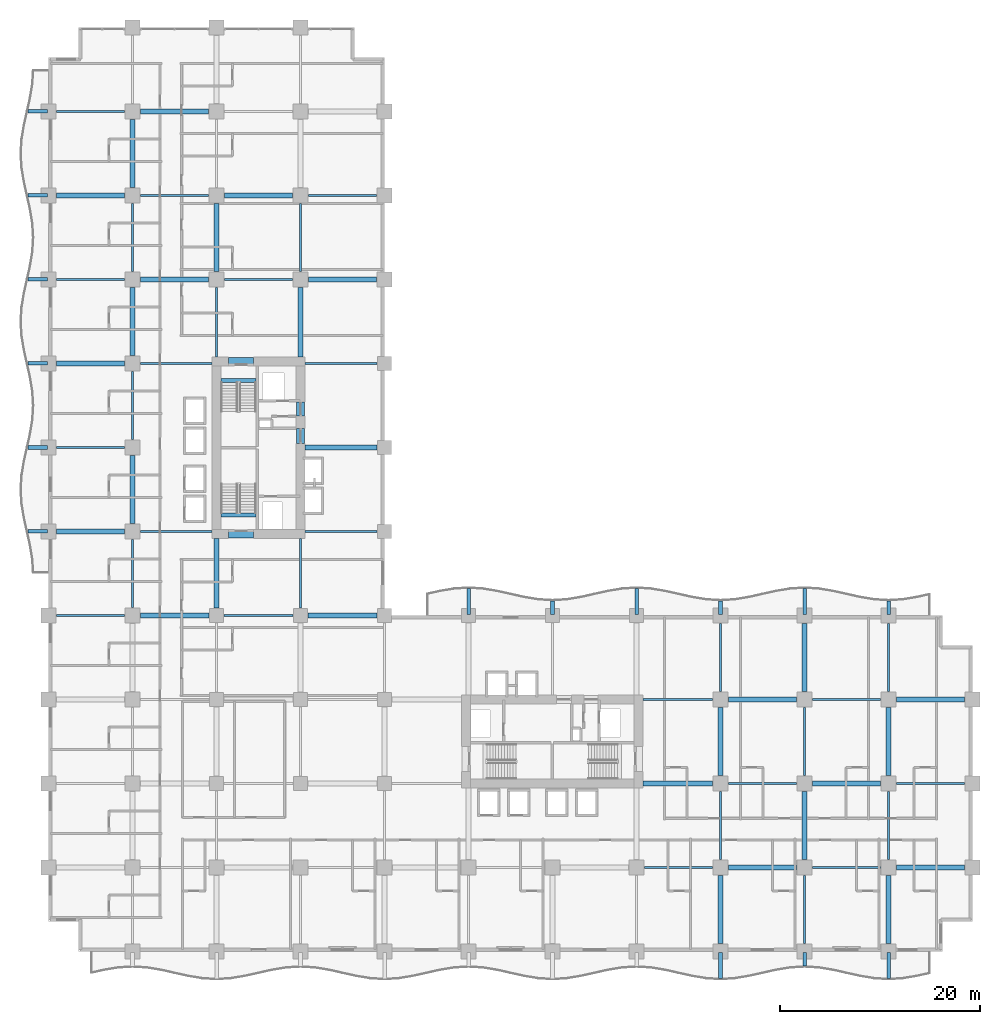
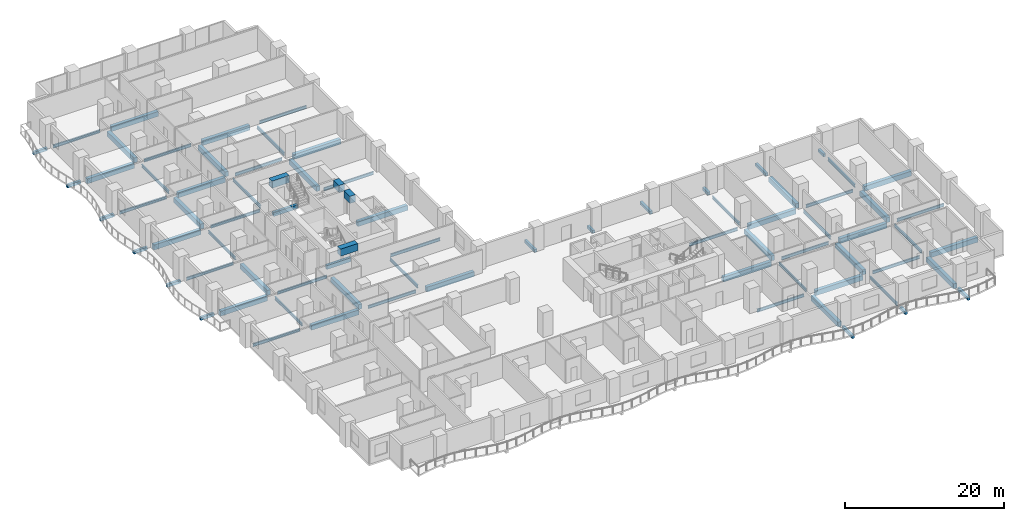
# One storey, part 2 of 23: 79 beams.
"""IFC4 building model written with IfcOpenShell, lengths in metres."""

from ifc_helpers import new_model, si_unit, direction, frame, origin, origin_2d, place, context, subcontext, project, spatial, rectangle, i_section, extrude, material, material_profile, profile_set, type_object, element, save


model = new_model("IFC4")

# Units and contexts
model_context = context("Model", 3, precision=1e-05, world=origin(), true_north=direction((0.0, 1.0)))
body_context = subcontext(model_context, "Body", "Model", "MODEL_VIEW")
ifc_project = project(units=[si_unit("LENGTHUNIT", "METRE"), si_unit("AREAUNIT", "SQUARE_METRE"), si_unit("VOLUMEUNIT", "CUBIC_METRE"), si_unit("PLANEANGLEUNIT", "RADIAN"), si_unit("MASSUNIT", "GRAM", prefix="KILO")], contexts=[model_context])

# Site, building, storey
site_placement = place(None, origin())
site = spatial("IfcSite", under=ifc_project, at=site_placement, CompositionType="ELEMENT")
building_placement = place(site_placement, origin())
building = spatial("IfcBuilding", under=site, at=building_placement, Name="Koriwani Terraces Tower", CompositionType="ELEMENT")
storey_placement = place(building_placement, frame((0.0, 0.0, 32.0)))
storey = spatial("IfcBuildingStorey", under=building, at=storey_placement, Name="L06", CompositionType="ELEMENT", Elevation=32.0)

# Beams
ifc_material_1 = material(Name="Concrete C40/50", Category="concrete")
ifc_material_profile_1 = material_profile(ifc_material_1, rectangle(XDim=0.35009765625, YDim=0.449951171875, at=origin_2d()), Name="Concrete C40/50", Category="LoadBearing")
ifc_profile_set_1 = profile_set([ifc_material_profile_1], Name="Concrete C40/50")
beam_type_1 = type_object("IfcBeamType", Name="BEAM_RC_BALCONY_RIB_350X450", PredefinedType="JOIST", material=ifc_profile_set_1)
beam_1_placement = place(storey_placement, frame((67.199951171875, -2.699951171875, -0.47509765625), z_axis=(0.0, 1.0, 0.0), x_axis=(-1.0, 0.0, 0.0)))
element("IfcBeam", 1, at=beam_1_placement, inside=storey, type_object=beam_type_1, Name="L06 Balcony Bracket Rib S-8", PredefinedType="JOIST", context=body_context, shape_type="SweptSolid", body=[
    extrude(rectangle(XDim=0.35009765625, YDim=0.449951171875, at=origin_2d()), origin(), (0.0, 0.0, 1.0), 2.599853515625),
])
beam_2_placement = place(storey_placement, frame((75.60009765625, -1.449951171875, -0.47509765625), z_axis=(0.0, 1.0, 0.0), x_axis=(-1.0, 0.0, 0.0)))
element("IfcBeam", 2, at=beam_2_placement, inside=storey, type_object=beam_type_1, Name="L06 Balcony Bracket Rib S-9", PredefinedType="JOIST", context=body_context, shape_type="SweptSolid", body=[
    extrude(rectangle(XDim=0.35009765625, YDim=0.449951171875, at=origin_2d()), origin(), (0.0, 0.0, 1.0), 1.349853515625),
])
beam_3_placement = place(storey_placement, frame((84.0, -2.699951171875, -0.47509765625), z_axis=(0.0, 1.0, 0.0), x_axis=(-1.0, 0.0, 0.0)))
element("IfcBeam", 3, at=beam_3_placement, inside=storey, type_object=beam_type_1, Name="L06 Balcony Bracket Rib S-10", PredefinedType="JOIST", context=body_context, shape_type="SweptSolid", body=[
    extrude(rectangle(XDim=0.35009765625, YDim=0.449951171875, at=origin_2d()), origin(), (0.0, 0.0, 1.0), 2.599853515625),
])
for number, where, z_axis, x_axis, name in (
    (4, (-2.074951171875, 42.0, -0.47509765625), (1.0, 0.0, 0.0), (0.0, 1.0, 0.0), "L06 Balcony Bracket Rib W-1"),
    (5, (-2.074951171875, 50.39990234375, -0.47509765625), (1.0, 0.0, 0.0), (0.0, 1.0, 0.0), "L06 Balcony Bracket Rib W-2"),
    (6, (-2.074951171875, 58.800048828125, -0.47509765625), (1.0, 0.0, 0.0), (0.0, 1.0, 0.0), "L06 Balcony Bracket Rib W-3"),
    (7, (-2.074951171875, 67.199951171875, -0.47509765625), (1.0, 0.0, 0.0), (0.0, 1.0, 0.0), "L06 Balcony Bracket Rib W-4"),
    (8, (-2.074951171875, 75.60009765625, -0.47509765625), (1.0, 0.0, 0.0), (0.0, 1.0, 0.0), "L06 Balcony Bracket Rib W-5"),
    (9, (-2.074951171875, 84.0, -0.47509765625), (1.0, 0.0, 0.0), (0.0, 1.0, 0.0), "L06 Balcony Bracket Rib W-6"),
):
    element("IfcBeam", number, at=place(storey_placement, frame(where, z_axis=z_axis, x_axis=x_axis)), inside=storey, type_object=beam_type_1, Name=name, PredefinedType="JOIST", context=body_context, shape_type="SweptSolid", body=[
        extrude(rectangle(XDim=0.35009765625, YDim=0.449951171875, at=origin_2d()), origin(), (0.0, 0.0, 1.0), 1.974853515625),
    ])
beam_4_placement = place(storey_placement, frame((42.0, 33.699951171875, -0.47509765625), z_axis=(0.0, 1.0, 0.0), x_axis=(-1.0, 0.0, 0.0)))
element("IfcBeam", 10, at=beam_4_placement, inside=storey, type_object=beam_type_1, Name="L06 Balcony Bracket Rib NE-1", PredefinedType="JOIST", context=body_context, shape_type="SweptSolid", body=[
    extrude(rectangle(XDim=0.35009765625, YDim=0.449951171875, at=origin_2d()), origin(), (0.0, 0.0, 1.0), 2.60009765625),
])
beam_5_placement = place(storey_placement, frame((50.39990234375, 33.699951171875, -0.47509765625), z_axis=(0.0, 1.0, 0.0), x_axis=(-1.0, 0.0, 0.0)))
element("IfcBeam", 11, at=beam_5_placement, inside=storey, type_object=beam_type_1, Name="L06 Balcony Bracket Rib NE-2", PredefinedType="JOIST", context=body_context, shape_type="SweptSolid", body=[
    extrude(rectangle(XDim=0.35009765625, YDim=0.449951171875, at=origin_2d()), origin(), (0.0, 0.0, 1.0), 1.35009765625),
])
beam_6_placement = place(storey_placement, frame((58.800048828125, 33.699951171875, -0.47509765625), z_axis=(0.0, 1.0, 0.0), x_axis=(-1.0, 0.0, 0.0)))
element("IfcBeam", 12, at=beam_6_placement, inside=storey, type_object=beam_type_1, Name="L06 Balcony Bracket Rib NE-3", PredefinedType="JOIST", context=body_context, shape_type="SweptSolid", body=[
    extrude(rectangle(XDim=0.35009765625, YDim=0.449951171875, at=origin_2d()), origin(), (0.0, 0.0, 1.0), 2.60009765625),
])
beam_7_placement = place(storey_placement, frame((67.199951171875, 33.699951171875, -0.47509765625), z_axis=(0.0, 1.0, 0.0), x_axis=(-1.0, 0.0, 0.0)))
element("IfcBeam", 13, at=beam_7_placement, inside=storey, type_object=beam_type_1, Name="L06 Balcony Bracket Rib NE-4", PredefinedType="JOIST", context=body_context, shape_type="SweptSolid", body=[
    extrude(rectangle(XDim=0.35009765625, YDim=0.449951171875, at=origin_2d()), origin(), (0.0, 0.0, 1.0), 1.35009765625),
])
beam_8_placement = place(storey_placement, frame((75.60009765625, 33.699951171875, -0.47509765625), z_axis=(0.0, 1.0, 0.0), x_axis=(-1.0, 0.0, 0.0)))
element("IfcBeam", 14, at=beam_8_placement, inside=storey, type_object=beam_type_1, Name="L06 Balcony Bracket Rib NE-5", PredefinedType="JOIST", context=body_context, shape_type="SweptSolid", body=[
    extrude(rectangle(XDim=0.35009765625, YDim=0.449951171875, at=origin_2d()), origin(), (0.0, 0.0, 1.0), 2.60009765625),
])
beam_9_placement = place(storey_placement, frame((84.0, 33.699951171875, -0.47509765625), z_axis=(0.0, 1.0, 0.0), x_axis=(-1.0, 0.0, 0.0)))
element("IfcBeam", 15, at=beam_9_placement, inside=storey, type_object=beam_type_1, Name="L06 Balcony Bracket Rib NE-6", PredefinedType="JOIST", context=body_context, shape_type="SweptSolid", body=[
    extrude(rectangle(XDim=0.35009765625, YDim=0.449951171875, at=origin_2d()), origin(), (0.0, 0.0, 1.0), 1.35009765625),
])
ifc_material_2 = material(Name="Concrete C60/75", Category="concrete")
ifc_material_profile_2 = material_profile(ifc_material_2, rectangle(XDim=0.800048828125, YDim=1.10009765625, at=origin_2d()), Name="Concrete C60/75", Category="LoadBearing")
ifc_profile_set_2 = profile_set([ifc_material_profile_2], Name="Concrete C60/75")
beam_type_2 = type_object("IfcBeamType", Name="BEAM_RC_COUPLING_800X1100", PredefinedType="LINTEL", material=ifc_profile_set_2)
beam_10_placement = place(storey_placement, frame((25.199951171875, 50.800048828125, 3.0), z_axis=(0.0, 1.0, 0.0), x_axis=(-1.0, 0.0, 0.0)))
element("IfcBeam", 16, at=beam_10_placement, inside=storey, type_object=beam_type_2, Name="L06 Core Coupling Lintel Beam WE1", PredefinedType="LINTEL", context=body_context, shape_type="SweptSolid", body=[
    extrude(rectangle(XDim=0.800048828125, YDim=1.10009765625, at=origin_2d()), origin(), (0.0, 0.0, 1.0), 1.47998046875),
])
beam_11_placement = place(storey_placement, frame((25.199951171875, 53.550048828125, 3.0), z_axis=(0.0, 1.0, 0.0), x_axis=(-1.0, 0.0, 0.0)))
element("IfcBeam", 17, at=beam_11_placement, inside=storey, type_object=beam_type_2, Name="L06 Core Coupling Lintel Beam WE2", PredefinedType="LINTEL", context=body_context, shape_type="SweptSolid", body=[
    extrude(rectangle(XDim=0.800048828125, YDim=1.10009765625, at=origin_2d()), origin(), (0.0, 0.0, 1.0), 1.39990234375),
])
for number, where, z_axis, x_axis, name in (
    (18, (18.0, 41.75, 3.0), (1.0, 0.0, 0.0), (0.0, 1.0, 0.0), "L06 Core Coupling Lintel Beam WS"),
    (19, (18.0, 59.0, 3.0), (1.0, 0.0, 0.0), (0.0, 1.0, 0.0), "L06 Core Coupling Lintel Beam WN"),
):
    element("IfcBeam", number, at=place(storey_placement, frame(where, z_axis=z_axis, x_axis=x_axis)), inside=storey, type_object=beam_type_2, Name=name, PredefinedType="LINTEL", context=body_context, shape_type="SweptSolid", body=[
        extrude(rectangle(XDim=0.800048828125, YDim=1.10009765625, at=origin_2d()), origin(), (0.0, 0.0, 1.0), 2.5),
    ])
ifc_material_profile_3 = material_profile(ifc_material_1, rectangle(XDim=0.39990234375, YDim=0.60009765625, at=origin_2d()), Name="Concrete C40/50", Category="LoadBearing")
ifc_profile_set_3 = profile_set([ifc_material_profile_3], Name="Concrete C40/50")
beam_type_3 = type_object("IfcBeamType", Name="BEAM_RC_GRID_400X600", PredefinedType="BEAM", material=ifc_profile_set_3)
for number, where, z_axis, x_axis, name in (
    (20, (17.25, 43.655029296875, -0.300048828125), (1.0, 0.0, 0.0), (0.0, 1.0, 0.0), "L06 Stairwell Header Trimmer Beam ST-W1"),
    (21, (17.25, 57.094970703125, -0.300048828125), (1.0, 0.0, 0.0), (0.0, 1.0, 0.0), "L06 Stairwell Header Trimmer Beam ST-W2"),
):
    element("IfcBeam", number, at=place(storey_placement, frame(where, z_axis=z_axis, x_axis=x_axis)), inside=storey, type_object=beam_type_3, Name=name, PredefinedType="BEAM", context=body_context, shape_type="SweptSolid", body=[
        extrude(rectangle(XDim=0.39990234375, YDim=0.60009765625, at=origin_2d()), origin(), (0.0, 0.0, 1.0), 3.5),
    ])
ifc_material_3 = material(Name="Concrete C50/60", Category="concrete")
ifc_material_profile_4 = material_profile(ifc_material_3, rectangle(XDim=0.5, YDim=0.75, at=origin_2d()), Name="Concrete C50/60", Category="LoadBearing")
ifc_profile_set_4 = profile_set([ifc_material_profile_4], Name="Concrete C50/60")
beam_type_4 = type_object("IfcBeamType", Name="BEAM_RC_GRID_500X750", PredefinedType="BEAM", material=ifc_profile_set_4)
for number, where, z_axis, x_axis, name in (
    (22, (67.97998046875, 8.39990234375, -0.625), (1.0, 0.0, 0.0), (0.0, 1.0, 0.0), "L06 Grid Beam B (67.2-75.6m)"),
    (23, (84.780029296875, 8.39990234375, -0.625), (1.0, 0.0, 0.0), (0.0, 1.0, 0.0), "L06 Grid Beam B (84.0-92.4m)"),
):
    element("IfcBeam", number, at=place(storey_placement, frame(where, z_axis=z_axis, x_axis=x_axis)), inside=storey, type_object=beam_type_4, Name=name, PredefinedType="BEAM", context=body_context, shape_type="SweptSolid", body=[
        extrude(rectangle(XDim=0.5, YDim=0.75, at=origin_2d()), origin(), (0.0, 0.0, 1.0), 6.840087890625),
    ])
beam_12_placement = place(storey_placement, frame((59.429931640625, 16.800048828125, -0.625), z_axis=(1.0, 0.0, 0.0), x_axis=(0.0, 1.0, 0.0)))
element("IfcBeam", 24, at=beam_12_placement, inside=storey, type_object=beam_type_4, Name="L06 Grid Beam C (58.8-67.2m)", PredefinedType="BEAM", context=body_context, shape_type="SweptSolid", body=[
    extrude(rectangle(XDim=0.5, YDim=0.75, at=origin_2d()), origin(), (0.0, 0.0, 1.0), 6.989990234375),
])
for number, where, z_axis, x_axis, name in (
    (25, (76.3798828125, 16.800048828125, -0.625), (1.0, 0.0, 0.0), (0.0, 1.0, 0.0), "L06 Grid Beam C (75.6-84.0m)"),
    (26, (67.97998046875, 25.199951171875, -0.625), (1.0, 0.0, 0.0), (0.0, 1.0, 0.0), "L06 Grid Beam D (67.2-75.6m)"),
    (27, (84.780029296875, 25.199951171875, -0.625), (1.0, 0.0, 0.0), (0.0, 1.0, 0.0), "L06 Grid Beam D (84.0-92.4m)"),
):
    element("IfcBeam", number, at=place(storey_placement, frame(where, z_axis=z_axis, x_axis=x_axis)), inside=storey, type_object=beam_type_4, Name=name, PredefinedType="BEAM", context=body_context, shape_type="SweptSolid", body=[
        extrude(rectangle(XDim=0.5, YDim=0.75, at=origin_2d()), origin(), (0.0, 0.0, 1.0), 6.840087890625),
    ])
beam_13_placement = place(storey_placement, frame((9.179931640625, 33.60009765625, -0.625), z_axis=(1.0, 0.0, 0.0), x_axis=(0.0, 1.0, 0.0)))
element("IfcBeam", 28, at=beam_13_placement, inside=storey, type_object=beam_type_4, Name="L06 Grid Beam E (8.4-16.8m)", PredefinedType="BEAM", context=body_context, shape_type="SweptSolid", body=[
    extrude(rectangle(XDim=0.5, YDim=0.75, at=origin_2d()), origin(), (0.0, 0.0, 1.0), 6.89013671875),
])
beam_14_placement = place(storey_placement, frame((25.929931640625, 33.60009765625, -0.625), z_axis=(1.0, 0.0, 0.0), x_axis=(0.0, 1.0, 0.0)))
element("IfcBeam", 29, at=beam_14_placement, inside=storey, type_object=beam_type_4, Name="L06 Grid Beam E (25.2-33.6m)", PredefinedType="BEAM", context=body_context, shape_type="SweptSolid", body=[
    extrude(rectangle(XDim=0.5, YDim=0.75, at=origin_2d()), origin(), (0.0, 0.0, 1.0), 6.940185546875),
])
beam_15_placement = place(storey_placement, frame((0.780029296875, 42.0, -0.625), z_axis=(1.0, 0.0, 0.0), x_axis=(0.0, 1.0, 0.0)))
element("IfcBeam", 30, at=beam_15_placement, inside=storey, type_object=beam_type_4, Name="L06 Grid Beam F (0.0-8.4m)", PredefinedType="BEAM", context=body_context, shape_type="SweptSolid", body=[
    extrude(rectangle(XDim=0.5, YDim=0.75, at=origin_2d()), origin(), (0.0, 0.0, 1.0), 6.840087890625),
])
beam_16_placement = place(storey_placement, frame((25.6298828125, 50.39990234375, -0.625), z_axis=(1.0, 0.0, 0.0), x_axis=(0.0, 1.0, 0.0)))
element("IfcBeam", 31, at=beam_16_placement, inside=storey, type_object=beam_type_4, Name="L06 Grid Beam G (25.2-33.6m)", PredefinedType="BEAM", context=body_context, shape_type="SweptSolid", body=[
    extrude(rectangle(XDim=0.5, YDim=0.75, at=origin_2d()), origin(), (0.0, 0.0, 1.0), 7.240234375),
])
for number, where, z_axis, x_axis, name in (
    (32, (0.780029296875, 58.800048828125, -0.625), (1.0, 0.0, 0.0), (0.0, 1.0, 0.0), "L06 Grid Beam H (0.0-8.4m)"),
    (33, (9.179931640625, 67.199951171875, -0.625), (1.0, 0.0, 0.0), (0.0, 1.0, 0.0), "L06 Grid Beam I (8.4-16.8m)"),
    (34, (25.97998046875, 67.199951171875, -0.625), (1.0, 0.0, 0.0), (0.0, 1.0, 0.0), "L06 Grid Beam I (25.2-33.6m)"),
    (35, (0.780029296875, 75.60009765625, -0.625), (1.0, 0.0, 0.0), (0.0, 1.0, 0.0), "L06 Grid Beam J (0.0-8.4m)"),
):
    element("IfcBeam", number, at=place(storey_placement, frame(where, z_axis=z_axis, x_axis=x_axis)), inside=storey, type_object=beam_type_4, Name=name, PredefinedType="BEAM", context=body_context, shape_type="SweptSolid", body=[
        extrude(rectangle(XDim=0.5, YDim=0.75, at=origin_2d()), origin(), (0.0, 0.0, 1.0), 6.840087890625),
    ])
beam_17_placement = place(storey_placement, frame((17.580078125, 75.60009765625, -0.625), z_axis=(1.0, 0.0, 0.0), x_axis=(0.0, 1.0, 0.0)))
element("IfcBeam", 36, at=beam_17_placement, inside=storey, type_object=beam_type_4, Name="L06 Grid Beam J (16.8-25.2m)", PredefinedType="BEAM", context=body_context, shape_type="SweptSolid", body=[
    extrude(rectangle(XDim=0.5, YDim=0.75, at=origin_2d()), origin(), (0.0, 0.0, 1.0), 6.83984375),
])
for number, where, z_axis, x_axis, name in (
    (37, (9.179931640625, 84.0, -0.625), (1.0, 0.0, 0.0), (0.0, 1.0, 0.0), "L06 Grid Beam K (8.4-16.8m)"),
    (38, (8.39990234375, 42.780029296875, -0.625), (0.0, 1.0, 0.0), (-1.0, 0.0, 0.0), "L06 Grid Beam 2 (42.0-50.4m)"),
):
    element("IfcBeam", number, at=place(storey_placement, frame(where, z_axis=z_axis, x_axis=x_axis)), inside=storey, type_object=beam_type_4, Name=name, PredefinedType="BEAM", context=body_context, shape_type="SweptSolid", body=[
        extrude(rectangle(XDim=0.5, YDim=0.75, at=origin_2d()), origin(), (0.0, 0.0, 1.0), 6.840087890625),
    ])
beam_18_placement = place(storey_placement, frame((8.39990234375, 59.580078125, -0.625), z_axis=(0.0, 1.0, 0.0), x_axis=(-1.0, 0.0, 0.0)))
element("IfcBeam", 39, at=beam_18_placement, inside=storey, type_object=beam_type_4, Name="L06 Grid Beam 2 (58.8-67.2m)", PredefinedType="BEAM", context=body_context, shape_type="SweptSolid", body=[
    extrude(rectangle(XDim=0.5, YDim=0.75, at=origin_2d()), origin(), (0.0, 0.0, 1.0), 6.83984375),
])
beam_19_placement = place(storey_placement, frame((8.39990234375, 76.3798828125, -0.625), z_axis=(0.0, 1.0, 0.0), x_axis=(-1.0, 0.0, 0.0)))
element("IfcBeam", 40, at=beam_19_placement, inside=storey, type_object=beam_type_4, Name="L06 Grid Beam 2 (75.6-84.0m)", PredefinedType="BEAM", context=body_context, shape_type="SweptSolid", body=[
    extrude(rectangle(XDim=0.5, YDim=0.75, at=origin_2d()), origin(), (0.0, 0.0, 1.0), 6.840087890625),
])
beam_20_placement = place(storey_placement, frame((16.800048828125, 34.330078125, -0.625), z_axis=(0.0, 1.0, 0.0), x_axis=(-1.0, 0.0, 0.0)))
element("IfcBeam", 41, at=beam_20_placement, inside=storey, type_object=beam_type_4, Name="L06 Grid Beam 3 (33.6-42.0m)", PredefinedType="BEAM", context=body_context, shape_type="SweptSolid", body=[
    extrude(rectangle(XDim=0.5, YDim=0.75, at=origin_2d()), origin(), (0.0, 0.0, 1.0), 6.989990234375),
])
beam_21_placement = place(storey_placement, frame((16.800048828125, 67.97998046875, -0.625), z_axis=(0.0, 1.0, 0.0), x_axis=(-1.0, 0.0, 0.0)))
element("IfcBeam", 42, at=beam_21_placement, inside=storey, type_object=beam_type_4, Name="L06 Grid Beam 3 (67.2-75.6m)", PredefinedType="BEAM", context=body_context, shape_type="SweptSolid", body=[
    extrude(rectangle(XDim=0.5, YDim=0.75, at=origin_2d()), origin(), (0.0, 0.0, 1.0), 6.840087890625),
])
beam_22_placement = place(storey_placement, frame((25.199951171875, 59.429931640625, -0.625), z_axis=(0.0, 1.0, 0.0), x_axis=(-1.0, 0.0, 0.0)))
element("IfcBeam", 43, at=beam_22_placement, inside=storey, type_object=beam_type_4, Name="L06 Grid Beam 4 (58.8-67.2m)", PredefinedType="BEAM", context=body_context, shape_type="SweptSolid", body=[
    extrude(rectangle(XDim=0.5, YDim=0.75, at=origin_2d()), origin(), (0.0, 0.0, 1.0), 6.989990234375),
])
beam_23_placement = place(storey_placement, frame((67.199951171875, 0.780029296875, -0.625), z_axis=(0.0, 1.0, 0.0), x_axis=(-1.0, 0.0, 0.0)))
element("IfcBeam", 44, at=beam_23_placement, inside=storey, type_object=beam_type_4, Name="L06 Grid Beam 9 (0.0-8.4m)", PredefinedType="BEAM", context=body_context, shape_type="SweptSolid", body=[
    extrude(rectangle(XDim=0.5, YDim=0.75, at=origin_2d()), origin(), (0.0, 0.0, 1.0), 6.840087890625),
])
beam_24_placement = place(storey_placement, frame((67.199951171875, 17.580078125, -0.625), z_axis=(0.0, 1.0, 0.0), x_axis=(-1.0, 0.0, 0.0)))
element("IfcBeam", 45, at=beam_24_placement, inside=storey, type_object=beam_type_4, Name="L06 Grid Beam 9 (16.8-25.2m)", PredefinedType="BEAM", context=body_context, shape_type="SweptSolid", body=[
    extrude(rectangle(XDim=0.5, YDim=0.75, at=origin_2d()), origin(), (0.0, 0.0, 1.0), 6.83984375),
])
for number, where, z_axis, x_axis, name in (
    (46, (75.60009765625, 9.179931640625, -0.625), (0.0, 1.0, 0.0), (-1.0, 0.0, 0.0), "L06 Grid Beam 10 (8.4-16.8m)"),
    (47, (75.60009765625, 25.97998046875, -0.625), (0.0, 1.0, 0.0), (-1.0, 0.0, 0.0), "L06 Grid Beam 10 (25.2-33.6m)"),
    (48, (84.0, 0.780029296875, -0.625), (0.0, 1.0, 0.0), (-1.0, 0.0, 0.0), "L06 Grid Beam 11 (0.0-8.4m)"),
):
    element("IfcBeam", number, at=place(storey_placement, frame(where, z_axis=z_axis, x_axis=x_axis)), inside=storey, type_object=beam_type_4, Name=name, PredefinedType="BEAM", context=body_context, shape_type="SweptSolid", body=[
        extrude(rectangle(XDim=0.5, YDim=0.75, at=origin_2d()), origin(), (0.0, 0.0, 1.0), 6.840087890625),
    ])
beam_25_placement = place(storey_placement, frame((84.0, 17.580078125, -0.625), z_axis=(0.0, 1.0, 0.0), x_axis=(-1.0, 0.0, 0.0)))
element("IfcBeam", 49, at=beam_25_placement, inside=storey, type_object=beam_type_4, Name="L06 Grid Beam 11 (16.8-25.2m)", PredefinedType="BEAM", context=body_context, shape_type="SweptSolid", body=[
    extrude(rectangle(XDim=0.5, YDim=0.75, at=origin_2d()), origin(), (0.0, 0.0, 1.0), 6.83984375),
])
ifc_material_4 = material(Name="Steel ASTM A572 Grade 50", Category="steel")
ifc_material_profile_5 = material_profile(ifc_material_4, i_section(OverallWidth=0.193115234375, OverallDepth=0.462890625, WebThickness=0.0107421875, FlangeThickness=0.017333984375, at=origin_2d()), Name="Steel ASTM A572 Grade 50", Category="LoadBearing")
ifc_profile_set_5 = profile_set([ifc_material_profile_5], Name="Steel ASTM A572 Grade 50")
beam_type_5 = type_object("IfcBeamType", Name="STEEL_BEAM_W460X113", PredefinedType="BEAM", material=ifc_profile_set_5)
beam_26_placement = place(storey_placement, frame((59.580078125, 8.39990234375, -0.4814453125), z_axis=(1.0, 0.0, 0.0), x_axis=(0.0, 1.0, 0.0)))
element("IfcBeam", 50, at=beam_26_placement, inside=storey, type_object=beam_type_5, Name="L06 Grid Beam B (58.8-67.2m)", PredefinedType="BEAM", context=body_context, shape_type="SweptSolid", body=[
    extrude(i_section(OverallWidth=0.193115234375, OverallDepth=0.462890625, WebThickness=0.0107421875, FlangeThickness=0.017333984375, at=origin_2d()), origin(), (0.0, 0.0, 1.0), 6.83984375),
])
for number, where, z_axis, x_axis, name in (
    (51, (76.3798828125, 8.39990234375, -0.4814453125), (1.0, 0.0, 0.0), (0.0, 1.0, 0.0), "L06 Grid Beam B (75.6-84.0m)"),
    (52, (67.97998046875, 16.800048828125, -0.4814453125), (1.0, 0.0, 0.0), (0.0, 1.0, 0.0), "L06 Grid Beam C (67.2-75.6m)"),
    (53, (84.780029296875, 16.800048828125, -0.4814453125), (1.0, 0.0, 0.0), (0.0, 1.0, 0.0), "L06 Grid Beam C (84.0-92.4m)"),
):
    element("IfcBeam", number, at=place(storey_placement, frame(where, z_axis=z_axis, x_axis=x_axis)), inside=storey, type_object=beam_type_5, Name=name, PredefinedType="BEAM", context=body_context, shape_type="SweptSolid", body=[
        extrude(i_section(OverallWidth=0.193115234375, OverallDepth=0.462890625, WebThickness=0.0107421875, FlangeThickness=0.017333984375, at=origin_2d()), origin(), (0.0, 0.0, 1.0), 6.840087890625),
    ])
beam_27_placement = place(storey_placement, frame((59.429931640625, 25.199951171875, -0.4814453125), z_axis=(1.0, 0.0, 0.0), x_axis=(0.0, 1.0, 0.0)))
element("IfcBeam", 54, at=beam_27_placement, inside=storey, type_object=beam_type_5, Name="L06 Grid Beam D (58.8-67.2m)", PredefinedType="BEAM", context=body_context, shape_type="SweptSolid", body=[
    extrude(i_section(OverallWidth=0.193115234375, OverallDepth=0.462890625, WebThickness=0.0107421875, FlangeThickness=0.017333984375, at=origin_2d()), origin(), (0.0, 0.0, 1.0), 6.989990234375),
])
for number, where, z_axis, x_axis, name in (
    (55, (76.3798828125, 25.199951171875, -0.4814453125), (1.0, 0.0, 0.0), (0.0, 1.0, 0.0), "L06 Grid Beam D (75.6-84.0m)"),
    (56, (0.780029296875, 33.60009765625, -0.4814453125), (1.0, 0.0, 0.0), (0.0, 1.0, 0.0), "L06 Grid Beam E (0.0-8.4m)"),
):
    element("IfcBeam", number, at=place(storey_placement, frame(where, z_axis=z_axis, x_axis=x_axis)), inside=storey, type_object=beam_type_5, Name=name, PredefinedType="BEAM", context=body_context, shape_type="SweptSolid", body=[
        extrude(i_section(OverallWidth=0.193115234375, OverallDepth=0.462890625, WebThickness=0.0107421875, FlangeThickness=0.017333984375, at=origin_2d()), origin(), (0.0, 0.0, 1.0), 6.840087890625),
    ])
beam_28_placement = place(storey_placement, frame((17.530029296875, 33.60009765625, -0.4814453125), z_axis=(1.0, 0.0, 0.0), x_axis=(0.0, 1.0, 0.0)))
element("IfcBeam", 57, at=beam_28_placement, inside=storey, type_object=beam_type_5, Name="L06 Grid Beam E (16.8-25.2m)", PredefinedType="BEAM", context=body_context, shape_type="SweptSolid", body=[
    extrude(i_section(OverallWidth=0.193115234375, OverallDepth=0.462890625, WebThickness=0.0107421875, FlangeThickness=0.017333984375, at=origin_2d()), origin(), (0.0, 0.0, 1.0), 6.93994140625),
])
beam_29_placement = place(storey_placement, frame((9.179931640625, 42.0, -0.4814453125), z_axis=(1.0, 0.0, 0.0), x_axis=(0.0, 1.0, 0.0)))
element("IfcBeam", 58, at=beam_29_placement, inside=storey, type_object=beam_type_5, Name="L06 Grid Beam F (8.4-16.8m)", PredefinedType="BEAM", context=body_context, shape_type="SweptSolid", body=[
    extrude(i_section(OverallWidth=0.193115234375, OverallDepth=0.462890625, WebThickness=0.0107421875, FlangeThickness=0.017333984375, at=origin_2d()), origin(), (0.0, 0.0, 1.0), 7.190185546875),
])
beam_30_placement = place(storey_placement, frame((25.6298828125, 42.0, -0.4814453125), z_axis=(1.0, 0.0, 0.0), x_axis=(0.0, 1.0, 0.0)))
element("IfcBeam", 59, at=beam_30_placement, inside=storey, type_object=beam_type_5, Name="L06 Grid Beam F (25.2-33.6m)", PredefinedType="BEAM", context=body_context, shape_type="SweptSolid", body=[
    extrude(i_section(OverallWidth=0.193115234375, OverallDepth=0.462890625, WebThickness=0.0107421875, FlangeThickness=0.017333984375, at=origin_2d()), origin(), (0.0, 0.0, 1.0), 7.240234375),
])
beam_31_placement = place(storey_placement, frame((0.780029296875, 50.39990234375, -0.4814453125), z_axis=(1.0, 0.0, 0.0), x_axis=(0.0, 1.0, 0.0)))
element("IfcBeam", 60, at=beam_31_placement, inside=storey, type_object=beam_type_5, Name="L06 Grid Beam G (0.0-8.4m)", PredefinedType="BEAM", context=body_context, shape_type="SweptSolid", body=[
    extrude(i_section(OverallWidth=0.193115234375, OverallDepth=0.462890625, WebThickness=0.0107421875, FlangeThickness=0.017333984375, at=origin_2d()), origin(), (0.0, 0.0, 1.0), 6.840087890625),
])
beam_32_placement = place(storey_placement, frame((9.179931640625, 58.800048828125, -0.4814453125), z_axis=(1.0, 0.0, 0.0), x_axis=(0.0, 1.0, 0.0)))
element("IfcBeam", 61, at=beam_32_placement, inside=storey, type_object=beam_type_5, Name="L06 Grid Beam H (8.4-16.8m)", PredefinedType="BEAM", context=body_context, shape_type="SweptSolid", body=[
    extrude(i_section(OverallWidth=0.193115234375, OverallDepth=0.462890625, WebThickness=0.0107421875, FlangeThickness=0.017333984375, at=origin_2d()), origin(), (0.0, 0.0, 1.0), 7.190185546875),
])
beam_33_placement = place(storey_placement, frame((25.6298828125, 58.800048828125, -0.4814453125), z_axis=(1.0, 0.0, 0.0), x_axis=(0.0, 1.0, 0.0)))
element("IfcBeam", 62, at=beam_33_placement, inside=storey, type_object=beam_type_5, Name="L06 Grid Beam H (25.2-33.6m)", PredefinedType="BEAM", context=body_context, shape_type="SweptSolid", body=[
    extrude(i_section(OverallWidth=0.193115234375, OverallDepth=0.462890625, WebThickness=0.0107421875, FlangeThickness=0.017333984375, at=origin_2d()), origin(), (0.0, 0.0, 1.0), 7.240234375),
])
beam_34_placement = place(storey_placement, frame((0.780029296875, 67.199951171875, -0.4814453125), z_axis=(1.0, 0.0, 0.0), x_axis=(0.0, 1.0, 0.0)))
element("IfcBeam", 63, at=beam_34_placement, inside=storey, type_object=beam_type_5, Name="L06 Grid Beam I (0.0-8.4m)", PredefinedType="BEAM", context=body_context, shape_type="SweptSolid", body=[
    extrude(i_section(OverallWidth=0.193115234375, OverallDepth=0.462890625, WebThickness=0.0107421875, FlangeThickness=0.017333984375, at=origin_2d()), origin(), (0.0, 0.0, 1.0), 6.840087890625),
])
beam_35_placement = place(storey_placement, frame((17.580078125, 67.199951171875, -0.4814453125), z_axis=(1.0, 0.0, 0.0), x_axis=(0.0, 1.0, 0.0)))
element("IfcBeam", 64, at=beam_35_placement, inside=storey, type_object=beam_type_5, Name="L06 Grid Beam I (16.8-25.2m)", PredefinedType="BEAM", context=body_context, shape_type="SweptSolid", body=[
    extrude(i_section(OverallWidth=0.193115234375, OverallDepth=0.462890625, WebThickness=0.0107421875, FlangeThickness=0.017333984375, at=origin_2d()), origin(), (0.0, 0.0, 1.0), 6.83984375),
])
for number, where, z_axis, x_axis, name in (
    (65, (9.179931640625, 75.60009765625, -0.4814453125), (1.0, 0.0, 0.0), (0.0, 1.0, 0.0), "L06 Grid Beam J (8.4-16.8m)"),
    (66, (25.97998046875, 75.60009765625, -0.4814453125), (1.0, 0.0, 0.0), (0.0, 1.0, 0.0), "L06 Grid Beam J (25.2-33.6m)"),
    (67, (0.780029296875, 84.0, -0.4814453125), (1.0, 0.0, 0.0), (0.0, 1.0, 0.0), "L06 Grid Beam K (0.0-8.4m)"),
    (68, (8.39990234375, 34.3798828125, -0.4814453125), (0.0, 1.0, 0.0), (-1.0, 0.0, 0.0), "L06 Grid Beam 2 (33.6-42.0m)"),
    (69, (8.39990234375, 51.179931640625, -0.4814453125), (0.0, 1.0, 0.0), (-1.0, 0.0, 0.0), "L06 Grid Beam 2 (50.4-58.8m)"),
    (70, (8.39990234375, 67.97998046875, -0.4814453125), (0.0, 1.0, 0.0), (-1.0, 0.0, 0.0), "L06 Grid Beam 2 (67.2-75.6m)"),
):
    element("IfcBeam", number, at=place(storey_placement, frame(where, z_axis=z_axis, x_axis=x_axis)), inside=storey, type_object=beam_type_5, Name=name, PredefinedType="BEAM", context=body_context, shape_type="SweptSolid", body=[
        extrude(i_section(OverallWidth=0.193115234375, OverallDepth=0.462890625, WebThickness=0.0107421875, FlangeThickness=0.017333984375, at=origin_2d()), origin(), (0.0, 0.0, 1.0), 6.840087890625),
    ])
for number, where, z_axis, x_axis, name in (
    (71, (16.800048828125, 59.429931640625, -0.4814453125), (0.0, 1.0, 0.0), (-1.0, 0.0, 0.0), "L06 Grid Beam 3 (58.8-67.2m)"),
    (72, (25.199951171875, 34.330078125, -0.4814453125), (0.0, 1.0, 0.0), (-1.0, 0.0, 0.0), "L06 Grid Beam 4 (33.6-42.0m)"),
):
    element("IfcBeam", number, at=place(storey_placement, frame(where, z_axis=z_axis, x_axis=x_axis)), inside=storey, type_object=beam_type_5, Name=name, PredefinedType="BEAM", context=body_context, shape_type="SweptSolid", body=[
        extrude(i_section(OverallWidth=0.193115234375, OverallDepth=0.462890625, WebThickness=0.0107421875, FlangeThickness=0.017333984375, at=origin_2d()), origin(), (0.0, 0.0, 1.0), 6.989990234375),
    ])
for number, where, z_axis, x_axis, name in (
    (73, (25.199951171875, 67.97998046875, -0.4814453125), (0.0, 1.0, 0.0), (-1.0, 0.0, 0.0), "L06 Grid Beam 4 (67.2-75.6m)"),
    (74, (67.199951171875, 9.179931640625, -0.4814453125), (0.0, 1.0, 0.0), (-1.0, 0.0, 0.0), "L06 Grid Beam 9 (8.4-16.8m)"),
    (75, (67.199951171875, 25.97998046875, -0.4814453125), (0.0, 1.0, 0.0), (-1.0, 0.0, 0.0), "L06 Grid Beam 9 (25.2-33.6m)"),
    (76, (75.60009765625, 0.780029296875, -0.4814453125), (0.0, 1.0, 0.0), (-1.0, 0.0, 0.0), "L06 Grid Beam 10 (0.0-8.4m)"),
):
    element("IfcBeam", number, at=place(storey_placement, frame(where, z_axis=z_axis, x_axis=x_axis)), inside=storey, type_object=beam_type_5, Name=name, PredefinedType="BEAM", context=body_context, shape_type="SweptSolid", body=[
        extrude(i_section(OverallWidth=0.193115234375, OverallDepth=0.462890625, WebThickness=0.0107421875, FlangeThickness=0.017333984375, at=origin_2d()), origin(), (0.0, 0.0, 1.0), 6.840087890625),
    ])
beam_36_placement = place(storey_placement, frame((75.60009765625, 17.580078125, -0.4814453125), z_axis=(0.0, 1.0, 0.0), x_axis=(-1.0, 0.0, 0.0)))
element("IfcBeam", 77, at=beam_36_placement, inside=storey, type_object=beam_type_5, Name="L06 Grid Beam 10 (16.8-25.2m)", PredefinedType="BEAM", context=body_context, shape_type="SweptSolid", body=[
    extrude(i_section(OverallWidth=0.193115234375, OverallDepth=0.462890625, WebThickness=0.0107421875, FlangeThickness=0.017333984375, at=origin_2d()), origin(), (0.0, 0.0, 1.0), 6.83984375),
])
for number, where, z_axis, x_axis, name in (
    (78, (84.0, 9.179931640625, -0.4814453125), (0.0, 1.0, 0.0), (-1.0, 0.0, 0.0), "L06 Grid Beam 11 (8.4-16.8m)"),
    (79, (84.0, 25.97998046875, -0.4814453125), (0.0, 1.0, 0.0), (-1.0, 0.0, 0.0), "L06 Grid Beam 11 (25.2-33.6m)"),
):
    element("IfcBeam", number, at=place(storey_placement, frame(where, z_axis=z_axis, x_axis=x_axis)), inside=storey, type_object=beam_type_5, Name=name, PredefinedType="BEAM", context=body_context, shape_type="SweptSolid", body=[
        extrude(i_section(OverallWidth=0.193115234375, OverallDepth=0.462890625, WebThickness=0.0107421875, FlangeThickness=0.017333984375, at=origin_2d()), origin(), (0.0, 0.0, 1.0), 6.840087890625),
    ])

save(model, "model.ifc")
